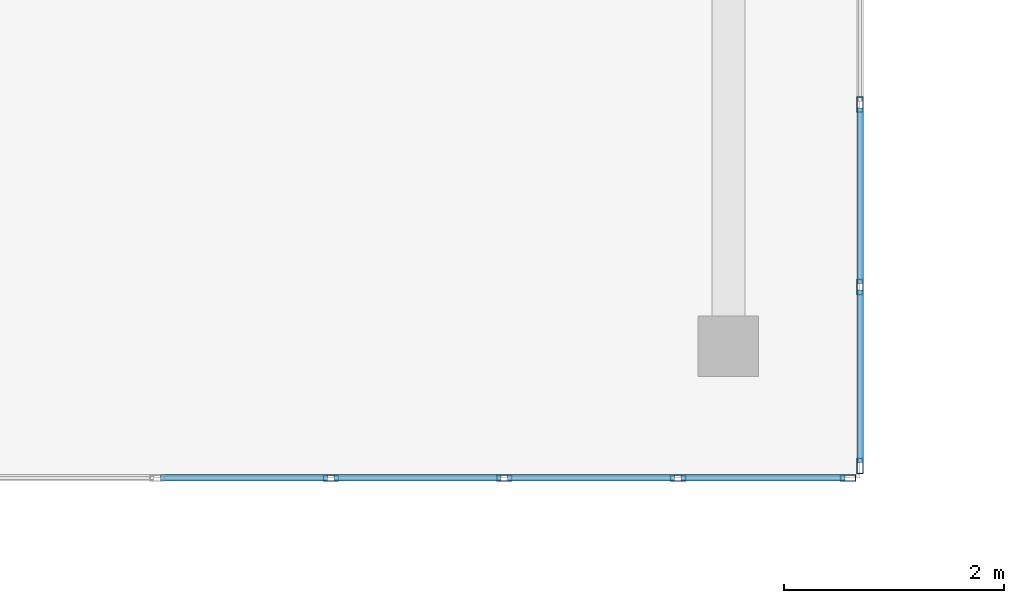
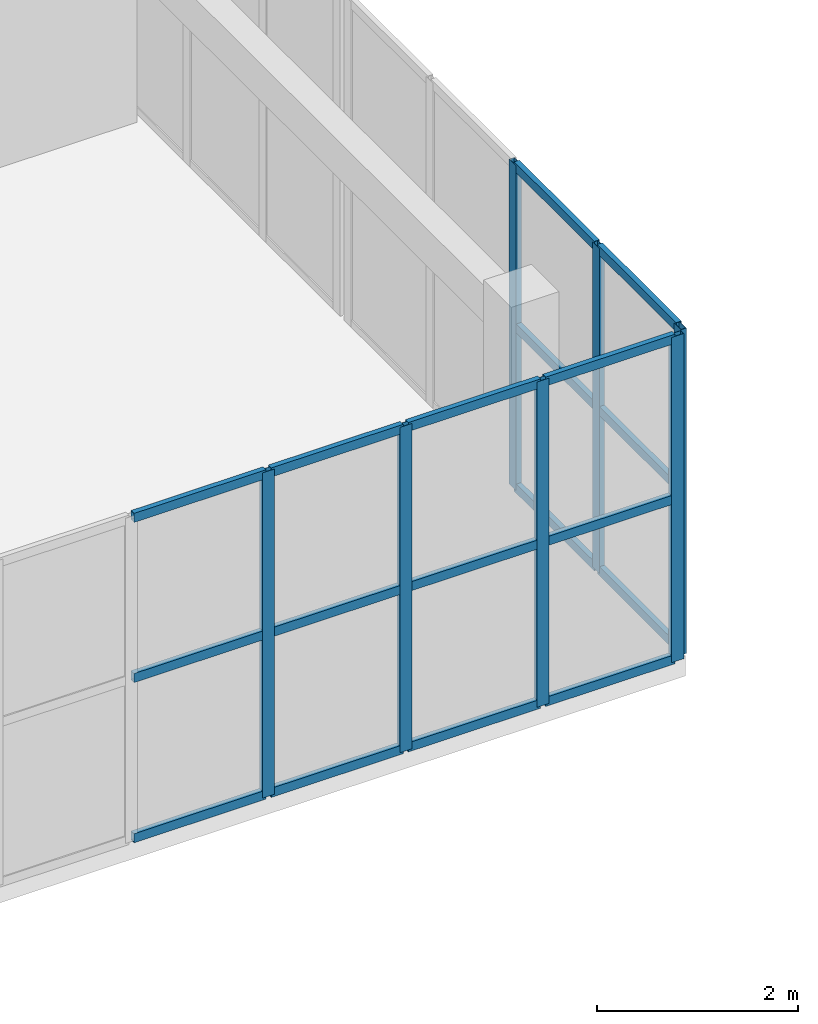
# One storey, part 27 of 81: 25 members, 2 elements without a shape of their own.
"""IFC4 building model written with IfcOpenShell, lengths in metres."""

import ifcopenshell
import ifcopenshell.guid

model = None  # the IFC model being written
_history = None  # IfcOwnerHistory: only IFC2X3 demands one
_inside = {}  # id of a spatial element -> (the spatial element, [elements in it])
_under = {}  # id of a project, library or spatial element -> (it, [spatial elements below it])
_declared = {}  # id of a project -> (the project, [libraries it declares])
_typed = {}  # id of a type object -> (the type object, [elements of that type])
_made_of = {}  # id of a material, layer set ... -> (it, [elements and type objects made of it])


def new_model(schema):
    """Start an empty IFC model of exactly this schema.

    Asked for "IFC4X3", IfcOpenShell would pick the latest addendum, in which some entities
    have other attributes; the version numbers below select the first issue.
    IFC2X3 requires an IfcOwnerHistory on every rooted entity: one is made here for all.
    """
    global model, _history
    if schema == "IFC4X3":
        model = ifcopenshell.file(schema_version=(4, 3, 0, 0))
    else:
        model = ifcopenshell.file(schema=schema)
    _inside.clear()
    _under.clear()
    _declared.clear()
    _typed.clear()
    _made_of.clear()
    _history = None
    if model.schema == "IFC2X3":
        org = make("IfcOrganization", Name="unknown")
        user = make(
            "IfcPersonAndOrganization",
            ThePerson=make("IfcPerson", FamilyName="unknown"),
            TheOrganization=org,
        )
        app = make(
            "IfcApplication",
            ApplicationDeveloper=org,
            Version="unknown",
            ApplicationFullName="unknown",
            ApplicationIdentifier="unknown",
        )
        _history = make(
            "IfcOwnerHistory",
            OwningUser=user,
            OwningApplication=app,
            ChangeAction="ADDED",
            CreationDate=0,
        )
    return model


def make(cls, **values):
    """One entity of the class cls with the attributes given. An attribute that is None is left unset."""
    return model.create_entity(
        cls, **{name: value for name, value in values.items() if value is not None}
    )


def rooted(cls, **values):
    """An entity with a GlobalId (a new one), such as an element, a storey or a relation."""
    return make(cls, GlobalId=ifcopenshell.guid.new(), OwnerHistory=_history, **values)


def si_unit(unit_type, name, prefix=None):
    """IfcSIUnit, for example si_unit("LENGTHUNIT", "METRE", prefix="MILLI")."""
    return make("IfcSIUnit", UnitType=unit_type, Prefix=prefix, Name=name)


def assignment(units):
    """IfcUnitAssignment: the units of a project."""
    return None if units is None else make("IfcUnitAssignment", Units=units)


def point(xyz):
    """IfcCartesianPoint."""
    return None if xyz is None else make("IfcCartesianPoint", Coordinates=xyz)


def direction(xyz):
    """IfcDirection."""
    return None if xyz is None else make("IfcDirection", DirectionRatios=xyz)


def frame(location, z_axis=None, x_axis=None):
    """IfcAxis2Placement3D, a coordinate frame: its origin and axes. An axis left out is left unset."""
    return make(
        "IfcAxis2Placement3D",
        Location=point(location),
        Axis=direction(z_axis),
        RefDirection=direction(x_axis),
    )


def frame_2d(location, x_axis=None):
    """IfcAxis2Placement2D, a coordinate frame in the plane: its origin and x axis."""
    return make(
        "IfcAxis2Placement2D", Location=point(location), RefDirection=direction(x_axis)
    )


def origin():
    """The frame at (0, 0, 0) with its axes left unset."""
    return frame((0.0, 0.0, 0.0))


def origin_2d():
    """The frame at (0, 0) in the plane with its x axis left unset."""
    return frame_2d((0.0, 0.0))


def place(relative_to, where):
    """IfcLocalPlacement: puts the frame where relative to a parent placement (None: the world)."""
    return make(
        "IfcLocalPlacement", PlacementRelTo=relative_to, RelativePlacement=where
    )


def context(
    kind, dimensions, precision=None, world=None, true_north=None, identifier=None
):
    """IfcGeometricRepresentationContext, for example the 3D "Model" context."""
    return make(
        "IfcGeometricRepresentationContext",
        ContextIdentifier=identifier,
        ContextType=kind,
        CoordinateSpaceDimension=dimensions,
        Precision=precision,
        WorldCoordinateSystem=world,
        TrueNorth=true_north,
    )


def subcontext(parent, identifier, kind, view, scale=None):
    """IfcGeometricRepresentationSubContext, for example "Body" below "Model"."""
    return make(
        "IfcGeometricRepresentationSubContext",
        ContextIdentifier=identifier,
        ContextType=kind,
        ParentContext=parent,
        TargetScale=scale,
        TargetView=view,
    )


def project(units=None, contexts=None):
    """IfcProject with its units and contexts."""
    return rooted(
        "IfcProject",
        Name="project",
        RepresentationContexts=contexts,
        UnitsInContext=assignment(units),
    )


def spatial(cls, under=None, at=None, **own):
    """A site, building, storey or space (cls), placed at a placement, below another one or the project."""
    s = rooted(cls, ObjectPlacement=at, **own)
    if under is not None:
        _under.setdefault(under.id(), (under, []))[1].append(s)
    return s


def profile(cls, at=None, kind="AREA", **sizes):
    """A parametric profile (cls). Its sizes go by their IFC names, for example OverallWidth=200.0."""
    return make(cls, ProfileType=kind, Position=at, **sizes)


def hollow_rectangle(**sizes):
    """IfcRectangleHollowProfileDef."""
    return profile("IfcRectangleHollowProfileDef", **sizes)


def extrude(swept, where, along, depth):
    """IfcExtrudedAreaSolid: the profile swept, set in the frame where, extruded along a direction by depth."""
    return make(
        "IfcExtrudedAreaSolid",
        SweptArea=swept,
        Position=where,
        ExtrudedDirection=direction(along),
        Depth=depth,
    )


def shape(context_of_items, identifier, shape_type, items):
    """IfcShapeRepresentation: the items that make up one representation, for example the "Body"."""
    return make(
        "IfcShapeRepresentation",
        ContextOfItems=context_of_items,
        RepresentationIdentifier=identifier,
        RepresentationType=shape_type,
        Items=items,
    )


def material(Name=None, Category=None):
    """IfcMaterial."""
    return make("IfcMaterial", Name=Name, Category=Category)


def layer(
    of_material, thickness, ventilated=None, Name=None, Category=None, Priority=None
):
    """IfcMaterialLayer: one layer of a wall or slab, of a material (None: an air gap)."""
    return make(
        "IfcMaterialLayer",
        Material=of_material,
        LayerThickness=thickness,
        IsVentilated=ventilated,
        Name=Name,
        Category=Category,
        Priority=Priority,
    )


def layer_set(layers, Name=None):
    """IfcMaterialLayerSet."""
    return make("IfcMaterialLayerSet", MaterialLayers=layers, LayerSetName=Name)


def material_profile(
    of_material, cross_section, Name=None, Category=None, Priority=None
):
    """IfcMaterialProfile: a cross section and its material."""
    return make(
        "IfcMaterialProfile",
        Name=Name,
        Material=of_material,
        Profile=cross_section,
        Priority=Priority,
        Category=Category,
    )


def profile_set(profiles, Name=None, composite=None):
    """IfcMaterialProfileSet."""
    return make(
        "IfcMaterialProfileSet",
        Name=Name,
        MaterialProfiles=profiles,
        CompositeProfile=composite,
    )


def made_of(thing, what):
    """Note that an element or type object is made of a material, layer set ...; save() writes the relation."""
    if what is not None:
        _made_of.setdefault(what.id(), (what, []))[1].append(thing)
    return thing


def type_object(cls, material=None, **own):
    """A type object (cls), such as IfcWallType, which elements share."""
    return made_of(rooted(cls, **own), material)


def element(
    cls,
    number,
    at=None,
    inside=None,
    cuts=None,
    type_object=None,
    material=None,
    context=None,
    identifier="Body",
    shape_type=None,
    held_by="IfcProductDefinitionShape",
    body=None,
    shapes=None,
    **own,
):
    """One element of the class cls, such as IfcWall. Its Tag is "e" and its number.

    at: its placement. inside: the storey or other place that contains it. cuts: it is an
    opening in that element (IfcRelVoidsElement). A single representation is given by context,
    identifier, shape_type and body (its items); several are given by shapes. held_by: the class
    of the entity that holds the representations. save() writes the other relations.
    """
    e = rooted(cls, Tag="e%d" % number, ObjectPlacement=at, **own)
    if body is not None:
        shapes = [shape(context, identifier, shape_type, body)]
    if shapes is not None:
        e.Representation = make(held_by, Representations=shapes)
    if inside is not None:
        _inside.setdefault(inside.id(), (inside, []))[1].append(e)
    if cuts is not None:
        rooted(
            "IfcRelVoidsElement", RelatingBuildingElement=cuts, RelatedOpeningElement=e
        )
    if type_object is not None:
        _typed.setdefault(type_object.id(), (type_object, []))[1].append(e)
    return made_of(e, material)


def aggregate(whole, parts):
    """IfcRelAggregates: a whole, such as a stair, and the parts it consists of."""
    return rooted("IfcRelAggregates", RelatingObject=whole, RelatedObjects=parts)


def save(model, path):
    """Write the relations noted so far, then the file.

    IfcRelAggregates (storeys below a building ...), IfcRelContainedInSpatialStructure (elements
    in a storey), IfcRelDefinesByType, IfcRelAssociatesMaterial and IfcRelDeclares: one each for
    every whole, place, type object, material and project.
    """
    for whole, parts in _under.values():
        aggregate(whole, parts)
    for where, things in _inside.values():
        rooted(
            "IfcRelContainedInSpatialStructure",
            RelatedElements=things,
            RelatingStructure=where,
        )
    for kind, things in _typed.values():
        rooted("IfcRelDefinesByType", RelatedObjects=things, RelatingType=kind)
    for what, things in _made_of.values():
        rooted("IfcRelAssociatesMaterial", RelatedObjects=things, RelatingMaterial=what)
    for by, libraries in _declared.values():
        rooted("IfcRelDeclares", RelatingContext=by, RelatedDefinitions=libraries)
    model.write(path)


model = new_model("IFC4")

# Units and contexts
model_context = context("Model", 3, precision=1e-05, world=origin(), true_north=direction((0.0, 1.0)))
body_context = subcontext(model_context, "Body", "Model", "MODEL_VIEW")
ifc_project = project(units=[si_unit("LENGTHUNIT", "METRE"), si_unit("AREAUNIT", "SQUARE_METRE"), si_unit("VOLUMEUNIT", "CUBIC_METRE"), si_unit("PLANEANGLEUNIT", "RADIAN"), si_unit("MASSUNIT", "GRAM", prefix="KILO")], contexts=[model_context])

# Site, building, storey
site_placement = place(None, origin())
site = spatial("IfcSite", under=ifc_project, at=site_placement, CompositionType="ELEMENT")
building_placement = place(site_placement, origin())
building = spatial("IfcBuilding", under=site, at=building_placement, Name="Trelvath General Hospital", CompositionType="ELEMENT")
storey_placement = place(building_placement, frame((0.0, 0.0, 24.60009765625)))
storey = spatial("IfcBuildingStorey", under=building, at=storey_placement, Name="L06", CompositionType="ELEMENT", Elevation=24.60009765625)

# Curtain wall, members
ifc_material_1 = material(Name="Anodised aluminium and low-E glass", Category="aluminium")
ifc_layer_1 = layer(ifc_material_1, 0.139892578125)
ifc_layer_set_1 = layer_set([ifc_layer_1], Name="Anodised aluminium and low-E glass")
curtain_wall_type_1 = type_object("IfcCurtainWallType", Name="CW CrystalCube 790 396 14", PredefinedType="USERDEFINED", material=ifc_layer_set_1)
curtain_wall_1_placement = place(storey_placement, origin())
curtain_wall_1 = element("IfcCurtainWall", 1, at=curtain_wall_1_placement, inside=storey, type_object=curtain_wall_type_1, Name="Crystal Cube Curtain Wall CUBE-E-T2 S2 L06", ObjectType="Unitised Glazed Curtain Wall", PredefinedType="USERDEFINED")
ifc_material_2 = material(Name="Anodised aluminium", Category="aluminium")
ifc_material_profile_1 = material_profile(ifc_material_2, hollow_rectangle(XDim=0.06005859375, YDim=0.139892578125, WallThickness=0.00390625, at=origin_2d()), Name="RHS60x140x4")
ifc_profile_set_1 = profile_set([ifc_material_profile_1], Name="Anodised aluminium")
member_type_1 = type_object("IfcMemberType", Name="CurtainMullion 60x140", PredefinedType="MULLION", material=ifc_profile_set_1)
member_1_placement = place(storey_placement, frame((108.2900390625, 43.60009765625, 0.0), z_axis=(0.0, 0.0, 1.0), x_axis=(0.0, -1.0, 0.0)))
member_1 = element("IfcMember", 2, at=member_1_placement, type_object=member_type_1, Name="CW-333 mullion 1", PredefinedType="MULLION", context=body_context, shape_type="SweptSolid", body=[
    extrude(hollow_rectangle(XDim=0.06005859375, YDim=0.139892578125, WallThickness=0.00390625, at=origin_2d()), origin(), (0.0, 0.0, 1.0), 3.9599609375),
])
member_2_placement = place(storey_placement, frame((106.739990234375, 43.60009765625, 0.0), z_axis=(0.0, 0.0, 1.0), x_axis=(0.0, -1.0, 0.0)))
member_2 = element("IfcMember", 3, at=member_2_placement, type_object=member_type_1, Name="CW-333 mullion 2", PredefinedType="MULLION", context=body_context, shape_type="SweptSolid", body=[
    extrude(hollow_rectangle(XDim=0.06005859375, YDim=0.139892578125, WallThickness=0.00390625, at=origin_2d()), origin(), (0.0, 0.0, 1.0), 3.9599609375),
])
member_3_placement = place(storey_placement, frame((105.159912109375, 43.60009765625, 0.0), z_axis=(0.0, 0.0, 1.0), x_axis=(0.0, -1.0, 0.0)))
member_3 = element("IfcMember", 4, at=member_3_placement, type_object=member_type_1, Name="CW-333 mullion 3", PredefinedType="MULLION", context=body_context, shape_type="SweptSolid", body=[
    extrude(hollow_rectangle(XDim=0.06005859375, YDim=0.139892578125, WallThickness=0.00390625, at=origin_2d()), origin(), (0.0, 0.0, 1.0), 3.9599609375),
])
member_4_placement = place(storey_placement, frame((103.580078125, 43.60009765625, 0.0), z_axis=(0.0, 0.0, 1.0), x_axis=(0.0, -1.0, 0.0)))
member_4 = element("IfcMember", 5, at=member_4_placement, type_object=member_type_1, Name="CW-333 mullion 4", PredefinedType="MULLION", context=body_context, shape_type="SweptSolid", body=[
    extrude(hollow_rectangle(XDim=0.06005859375, YDim=0.139892578125, WallThickness=0.00390625, at=origin_2d()), origin(), (0.0, 0.0, 1.0), 3.9599609375),
])

ifc_material_3 = material(Name="Anodised aluminium and low-E glass", Category="aluminium")
ifc_layer_2 = layer(ifc_material_3, 0.139892578125)
ifc_layer_set_2 = layer_set([ifc_layer_2], Name="Anodised aluminium and low-E glass")
curtain_wall_type_2 = type_object("IfcCurtainWallType", Name="CW CrystalCube 664 396 14", PredefinedType="USERDEFINED", material=ifc_layer_set_2)
curtain_wall_2_placement = place(storey_placement, origin())
curtain_wall_2 = element("IfcCurtainWall", 6, at=curtain_wall_2_placement, inside=storey, type_object=curtain_wall_type_2, Name="Crystal Cube Curtain Wall CUBE-E-T2 E1 L06", ObjectType="Unitised Glazed Curtain Wall", PredefinedType="USERDEFINED")
member_5_placement = place(storey_placement, frame((108.39990234375, 47.0, 0.0), z_axis=(0.0, 0.0, 1.0), x_axis=(1.0, 0.0, 0.0)))
member_5 = element("IfcMember", 7, at=member_5_placement, type_object=member_type_1, Name="CW-336 mullion 3", PredefinedType="MULLION", context=body_context, shape_type="SweptSolid", body=[
    extrude(hollow_rectangle(XDim=0.06005859375, YDim=0.139892578125, WallThickness=0.00390625, at=origin_2d()), origin(), (0.0, 0.0, 1.0), 3.9599609375),
])
member_6_placement = place(storey_placement, frame((108.39990234375, 45.340087890625, 0.0), z_axis=(0.0, 0.0, 1.0), x_axis=(1.0, 0.0, 0.0)))
member_6 = element("IfcMember", 8, at=member_6_placement, type_object=member_type_1, Name="CW-336 mullion 4", PredefinedType="MULLION", context=body_context, shape_type="SweptSolid", body=[
    extrude(hollow_rectangle(XDim=0.06005859375, YDim=0.139892578125, WallThickness=0.00390625, at=origin_2d()), origin(), (0.0, 0.0, 1.0), 3.9599609375),
])
member_7_placement = place(storey_placement, frame((108.39990234375, 43.7099609375, 0.0), z_axis=(0.0, 0.0, 1.0), x_axis=(1.0, 0.0, 0.0)))
member_7 = element("IfcMember", 9, at=member_7_placement, type_object=member_type_1, Name="CW-336 mullion 5", PredefinedType="MULLION", context=body_context, shape_type="SweptSolid", body=[
    extrude(hollow_rectangle(XDim=0.06005859375, YDim=0.139892578125, WallThickness=0.00390625, at=origin_2d()), origin(), (0.0, 0.0, 1.0), 3.9599609375),
])

# Member
ifc_material_4 = material(Name="Anodised aluminium", Category="aluminium")
ifc_material_profile_2 = material_profile(ifc_material_4, hollow_rectangle(XDim=0.06005859375, YDim=0.110107421875, WallThickness=0.00390625, at=origin_2d()), Name="RHS60x110x4")
ifc_profile_set_2 = profile_set([ifc_material_profile_2], Name="Anodised aluminium")
member_type_2 = type_object("IfcMemberType", Name="CurtainTransom 60x110", PredefinedType="USERDEFINED", material=ifc_profile_set_2)
member_8_placement = place(storey_placement, frame((108.260009765625, 43.60009765625, 0.02978515625), z_axis=(-1.0, 0.0, 0.0), x_axis=(0.0, -1.0, 0.0)))
member_8 = element("IfcMember", 10, at=member_8_placement, type_object=member_type_2, Name="CW-333 transom 1.1", ObjectType="TRANSOM", PredefinedType="USERDEFINED", context=body_context, shape_type="SweptSolid", body=[
    extrude(hollow_rectangle(XDim=0.06005859375, YDim=0.110107421875, WallThickness=0.00390625, at=origin_2d()), origin(), (0.0, 0.0, 1.0), 1.489990234375),
])

member_9_placement = place(storey_placement, frame((108.260009765625, 43.60009765625, 1.97998046875), z_axis=(-1.0, 0.0, 0.0), x_axis=(0.0, -1.0, 0.0)))
member_9 = element("IfcMember", 11, at=member_9_placement, type_object=member_type_2, Name="CW-333 transom 1.2", ObjectType="TRANSOM", PredefinedType="USERDEFINED", context=body_context, shape_type="SweptSolid", body=[
    extrude(hollow_rectangle(XDim=0.06005859375, YDim=0.110107421875, WallThickness=0.00390625, at=origin_2d()), origin(), (0.0, 0.0, 1.0), 1.489990234375),
])

member_10_placement = place(storey_placement, frame((108.260009765625, 43.60009765625, 3.929931640625), z_axis=(-1.0, 0.0, 0.0), x_axis=(0.0, -1.0, 0.0)))
member_10 = element("IfcMember", 12, at=member_10_placement, type_object=member_type_2, Name="CW-333 transom 1.3", ObjectType="TRANSOM", PredefinedType="USERDEFINED", context=body_context, shape_type="SweptSolid", body=[
    extrude(hollow_rectangle(XDim=0.06005859375, YDim=0.110107421875, WallThickness=0.00390625, at=origin_2d()), origin(), (0.0, 0.0, 1.0), 1.489990234375),
])

member_11_placement = place(storey_placement, frame((106.7099609375, 43.60009765625, 0.02978515625), z_axis=(-1.0, 0.0, 0.0), x_axis=(0.0, -1.0, 0.0)))
member_11 = element("IfcMember", 13, at=member_11_placement, type_object=member_type_2, Name="CW-333 transom 2.1", ObjectType="TRANSOM", PredefinedType="USERDEFINED", context=body_context, shape_type="SweptSolid", body=[
    extrude(hollow_rectangle(XDim=0.06005859375, YDim=0.110107421875, WallThickness=0.00390625, at=origin_2d()), origin(), (0.0, 0.0, 1.0), 1.52001953125),
])

member_12_placement = place(storey_placement, frame((106.7099609375, 43.60009765625, 1.97998046875), z_axis=(-1.0, 0.0, 0.0), x_axis=(0.0, -1.0, 0.0)))
member_12 = element("IfcMember", 14, at=member_12_placement, type_object=member_type_2, Name="CW-333 transom 2.2", ObjectType="TRANSOM", PredefinedType="USERDEFINED", context=body_context, shape_type="SweptSolid", body=[
    extrude(hollow_rectangle(XDim=0.06005859375, YDim=0.110107421875, WallThickness=0.00390625, at=origin_2d()), origin(), (0.0, 0.0, 1.0), 1.52001953125),
])

member_13_placement = place(storey_placement, frame((106.7099609375, 43.60009765625, 3.929931640625), z_axis=(-1.0, 0.0, 0.0), x_axis=(0.0, -1.0, 0.0)))
member_13 = element("IfcMember", 15, at=member_13_placement, type_object=member_type_2, Name="CW-333 transom 2.3", ObjectType="TRANSOM", PredefinedType="USERDEFINED", context=body_context, shape_type="SweptSolid", body=[
    extrude(hollow_rectangle(XDim=0.06005859375, YDim=0.110107421875, WallThickness=0.00390625, at=origin_2d()), origin(), (0.0, 0.0, 1.0), 1.52001953125),
])

member_14_placement = place(storey_placement, frame((105.1298828125, 43.60009765625, 0.02978515625), z_axis=(-1.0, 0.0, 0.0), x_axis=(0.0, -1.0, 0.0)))
member_14 = element("IfcMember", 16, at=member_14_placement, type_object=member_type_2, Name="CW-333 transom 3.1", ObjectType="TRANSOM", PredefinedType="USERDEFINED", context=body_context, shape_type="SweptSolid", body=[
    extrude(hollow_rectangle(XDim=0.06005859375, YDim=0.110107421875, WallThickness=0.00390625, at=origin_2d()), origin(), (0.0, 0.0, 1.0), 1.519775390625),
])

member_15_placement = place(storey_placement, frame((105.1298828125, 43.60009765625, 1.97998046875), z_axis=(-1.0, 0.0, 0.0), x_axis=(0.0, -1.0, 0.0)))
member_15 = element("IfcMember", 17, at=member_15_placement, type_object=member_type_2, Name="CW-333 transom 3.2", ObjectType="TRANSOM", PredefinedType="USERDEFINED", context=body_context, shape_type="SweptSolid", body=[
    extrude(hollow_rectangle(XDim=0.06005859375, YDim=0.110107421875, WallThickness=0.00390625, at=origin_2d()), origin(), (0.0, 0.0, 1.0), 1.519775390625),
])

member_16_placement = place(storey_placement, frame((105.1298828125, 43.60009765625, 3.929931640625), z_axis=(-1.0, 0.0, 0.0), x_axis=(0.0, -1.0, 0.0)))
member_16 = element("IfcMember", 18, at=member_16_placement, type_object=member_type_2, Name="CW-333 transom 3.3", ObjectType="TRANSOM", PredefinedType="USERDEFINED", context=body_context, shape_type="SweptSolid", body=[
    extrude(hollow_rectangle(XDim=0.06005859375, YDim=0.110107421875, WallThickness=0.00390625, at=origin_2d()), origin(), (0.0, 0.0, 1.0), 1.519775390625),
])

member_17_placement = place(storey_placement, frame((103.550048828125, 43.60009765625, 0.02978515625), z_axis=(-1.0, 0.0, 0.0), x_axis=(0.0, -1.0, 0.0)))
member_17 = element("IfcMember", 19, at=member_17_placement, type_object=member_type_2, Name="CW-333 transom 4.1", ObjectType="TRANSOM", PredefinedType="USERDEFINED", context=body_context, shape_type="SweptSolid", body=[
    extrude(hollow_rectangle(XDim=0.06005859375, YDim=0.110107421875, WallThickness=0.00390625, at=origin_2d()), origin(), (0.0, 0.0, 1.0), 1.52001953125),
])

member_18_placement = place(storey_placement, frame((103.550048828125, 43.60009765625, 1.97998046875), z_axis=(-1.0, 0.0, 0.0), x_axis=(0.0, -1.0, 0.0)))
member_18 = element("IfcMember", 20, at=member_18_placement, type_object=member_type_2, Name="CW-333 transom 4.2", ObjectType="TRANSOM", PredefinedType="USERDEFINED", context=body_context, shape_type="SweptSolid", body=[
    extrude(hollow_rectangle(XDim=0.06005859375, YDim=0.110107421875, WallThickness=0.00390625, at=origin_2d()), origin(), (0.0, 0.0, 1.0), 1.52001953125),
])

member_19_placement = place(storey_placement, frame((103.550048828125, 43.60009765625, 3.929931640625), z_axis=(-1.0, 0.0, 0.0), x_axis=(0.0, -1.0, 0.0)))
member_19 = element("IfcMember", 21, at=member_19_placement, type_object=member_type_2, Name="CW-333 transom 4.3", ObjectType="TRANSOM", PredefinedType="USERDEFINED", context=body_context, shape_type="SweptSolid", body=[
    extrude(hollow_rectangle(XDim=0.06005859375, YDim=0.110107421875, WallThickness=0.00390625, at=origin_2d()), origin(), (0.0, 0.0, 1.0), 1.52001953125),
])

aggregate(curtain_wall_1, [member_1, member_2, member_3, member_4, member_8, member_9, member_10, member_11, member_12, member_13, member_14, member_15, member_16, member_17, member_18, member_19])

member_20_placement = place(storey_placement, frame((108.39990234375, 46.969970703125, 0.02978515625), z_axis=(0.0, -1.0, 0.0), x_axis=(1.0, 0.0, 0.0)))
member_20 = element("IfcMember", 22, at=member_20_placement, type_object=member_type_2, Name="CW-336 transom 3.1", ObjectType="TRANSOM", PredefinedType="USERDEFINED", context=body_context, shape_type="SweptSolid", body=[
    extrude(hollow_rectangle(XDim=0.06005859375, YDim=0.110107421875, WallThickness=0.00390625, at=origin_2d()), origin(), (0.0, 0.0, 1.0), 1.599853515625),
])

member_21_placement = place(storey_placement, frame((108.39990234375, 46.969970703125, 1.97998046875), z_axis=(0.0, -1.0, 0.0), x_axis=(1.0, 0.0, 0.0)))
member_21 = element("IfcMember", 23, at=member_21_placement, type_object=member_type_2, Name="CW-336 transom 3.2", ObjectType="TRANSOM", PredefinedType="USERDEFINED", context=body_context, shape_type="SweptSolid", body=[
    extrude(hollow_rectangle(XDim=0.06005859375, YDim=0.110107421875, WallThickness=0.00390625, at=origin_2d()), origin(), (0.0, 0.0, 1.0), 1.599853515625),
])

member_22_placement = place(storey_placement, frame((108.39990234375, 46.969970703125, 3.929931640625), z_axis=(0.0, -1.0, 0.0), x_axis=(1.0, 0.0, 0.0)))
member_22 = element("IfcMember", 24, at=member_22_placement, type_object=member_type_2, Name="CW-336 transom 3.3", ObjectType="TRANSOM", PredefinedType="USERDEFINED", context=body_context, shape_type="SweptSolid", body=[
    extrude(hollow_rectangle(XDim=0.06005859375, YDim=0.110107421875, WallThickness=0.00390625, at=origin_2d()), origin(), (0.0, 0.0, 1.0), 1.599853515625),
])

member_23_placement = place(storey_placement, frame((108.39990234375, 45.31005859375, 0.02978515625), z_axis=(0.0, -1.0, 0.0), x_axis=(1.0, 0.0, 0.0)))
member_23 = element("IfcMember", 25, at=member_23_placement, type_object=member_type_2, Name="CW-336 transom 4.1", ObjectType="TRANSOM", PredefinedType="USERDEFINED", context=body_context, shape_type="SweptSolid", body=[
    extrude(hollow_rectangle(XDim=0.06005859375, YDim=0.110107421875, WallThickness=0.00390625, at=origin_2d()), origin(), (0.0, 0.0, 1.0), 1.570068359375),
])

member_24_placement = place(storey_placement, frame((108.39990234375, 45.31005859375, 1.97998046875), z_axis=(0.0, -1.0, 0.0), x_axis=(1.0, 0.0, 0.0)))
member_24 = element("IfcMember", 26, at=member_24_placement, type_object=member_type_2, Name="CW-336 transom 4.2", ObjectType="TRANSOM", PredefinedType="USERDEFINED", context=body_context, shape_type="SweptSolid", body=[
    extrude(hollow_rectangle(XDim=0.06005859375, YDim=0.110107421875, WallThickness=0.00390625, at=origin_2d()), origin(), (0.0, 0.0, 1.0), 1.570068359375),
])

member_25_placement = place(storey_placement, frame((108.39990234375, 45.31005859375, 3.929931640625), z_axis=(0.0, -1.0, 0.0), x_axis=(1.0, 0.0, 0.0)))
member_25 = element("IfcMember", 27, at=member_25_placement, type_object=member_type_2, Name="CW-336 transom 4.3", ObjectType="TRANSOM", PredefinedType="USERDEFINED", context=body_context, shape_type="SweptSolid", body=[
    extrude(hollow_rectangle(XDim=0.06005859375, YDim=0.110107421875, WallThickness=0.00390625, at=origin_2d()), origin(), (0.0, 0.0, 1.0), 1.570068359375),
])

aggregate(curtain_wall_2, [member_5, member_6, member_7, member_20, member_21, member_22, member_23, member_24, member_25])

save(model, "model.ifc")
